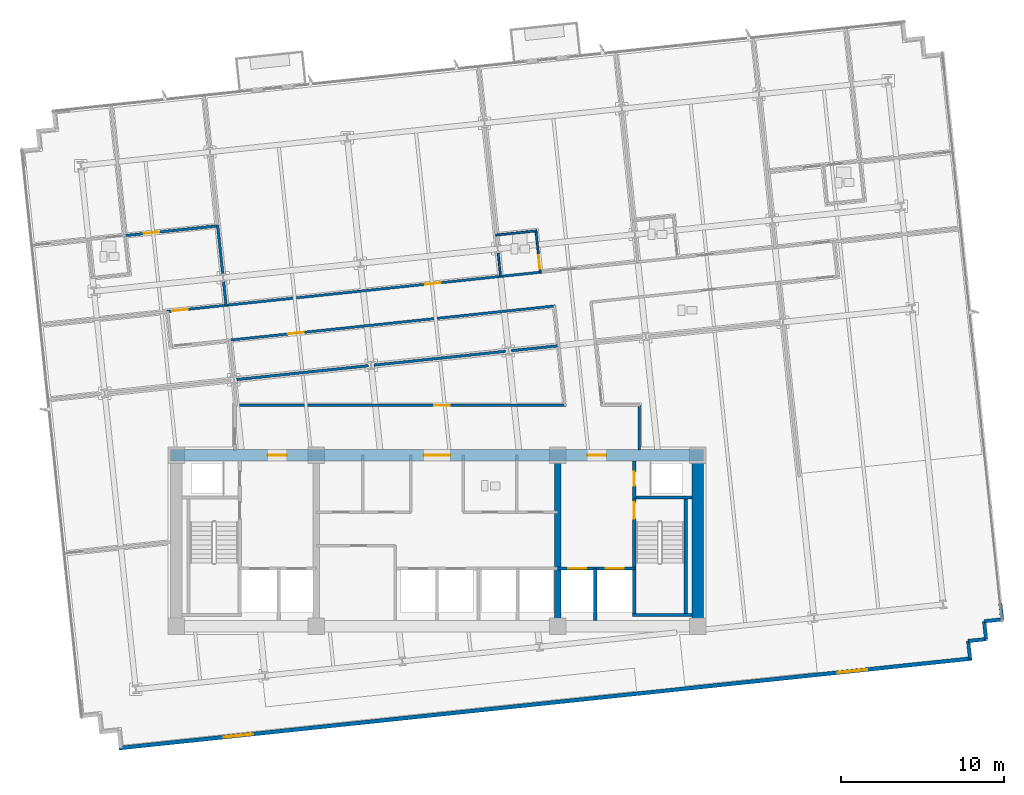
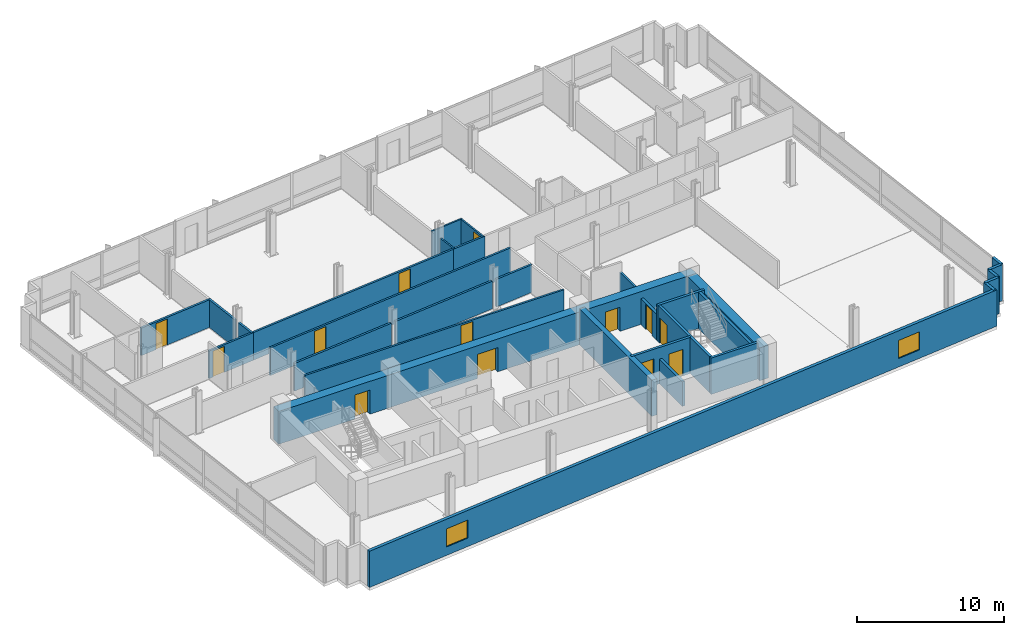
# One storey, part 11 of 18: 31 walls, 13 doors, 2 windows, 15 openings.
"""IFC4 building model written with IfcOpenShell, lengths in metres."""

from ifc_helpers import new_model, si_unit, direction, frame, frame_2d, origin, place, context, subcontext, project, spatial, rectangle, extrude, material, layer, layer_set, type_object, element, fill, save


model = new_model("IFC4")

# Units and contexts
model_context = context("Model", 3, precision=1e-05, world=origin(), true_north=direction((0.0, 1.0)))
body_context = subcontext(model_context, "Body", "Model", "MODEL_VIEW")
ifc_project = project(units=[si_unit("LENGTHUNIT", "METRE"), si_unit("AREAUNIT", "SQUARE_METRE"), si_unit("VOLUMEUNIT", "CUBIC_METRE"), si_unit("PLANEANGLEUNIT", "RADIAN"), si_unit("MASSUNIT", "GRAM", prefix="KILO")], contexts=[model_context])

# Site, building, storey
site_placement = place(None, origin())
site = spatial("IfcSite", under=ifc_project, at=site_placement, CompositionType="ELEMENT")
building_placement = place(site_placement, origin())
building = spatial("IfcBuilding", under=site, at=building_placement, Name="Solmavex Isthmus Hotel", CompositionType="ELEMENT")
storey_placement = place(building_placement, frame((0.0, 0.0, 127.050048828125)))
storey = spatial("IfcBuildingStorey", under=building, at=storey_placement, Name="L34", CompositionType="ELEMENT", Elevation=127.050048828125)

# Wall, openings, windows
ifc_material_1 = material(Name="Precast Concrete C40/50", Category="concrete")
ifc_layer_1 = layer(ifc_material_1, 0.25)
ifc_layer_set_1 = layer_set([ifc_layer_1], Name="Precast Concrete C40/50")
wall_type_1 = type_object("IfcWallType", Name="EW-TWR-250", PredefinedType="STANDARD", material=ifc_layer_set_1)
wall_1_placement = place(storey_placement, frame((-19.504150390625, -20.4716796875, 0.0), z_axis=(0.0, 0.0, 1.0), x_axis=(0.994521743132, 0.104529911687, 0.0)))
wall_1 = element("IfcWall", 1, at=wall_1_placement, inside=storey, type_object=wall_type_1, Name="Tower Rear South Facade Wall L34", PredefinedType="STANDARD", context=body_context, shape_type="SweptSolid", body=[
    extrude(rectangle(XDim=52.60009765625, YDim=0.239990234375, at=frame_2d((26.300048828125, 0.0))), origin(), (0.0, 0.0, 1.0), 3.0),
])
opening_1_placement = place(wall_1_placement, frame((6.464111328125, 0.0, 0.699951171875)))
opening_1 = element("IfcOpeningElement", 2, at=opening_1_placement, cuts=wall_1, Name="Opening WN-02", PredefinedType="OPENING", context=body_context, shape_type="SweptSolid", body=[
    extrude(rectangle(XDim=1.800048828125, YDim=1.5, at=frame_2d((0.89990234375, 0.75))), frame((0.0, 0.1298828125, 0.0), z_axis=(0.0, -1.0, 0.0), x_axis=(1.0, 0.0, 0.0)), (0.0, 0.0, 1.0), 0.260009765625),
])
opening_2_placement = place(wall_1_placement, frame((44.3359375, 0.0, 0.699951171875)))
opening_2 = element("IfcOpeningElement", 3, at=opening_2_placement, cuts=wall_1, Name="Opening WN-02", PredefinedType="OPENING", context=body_context, shape_type="SweptSolid", body=[
    extrude(rectangle(XDim=1.800048828125, YDim=1.5, at=frame_2d((0.89990234375, 0.75))), frame((0.0, 0.1298828125, 0.0), z_axis=(0.0, -1.0, 0.0), x_axis=(1.0, 0.0, 0.0)), (0.0, 0.0, 1.0), 0.260009765625),
])
ifc_material_2 = material(Name="Clear low-E laminated glass", Category="glass")
window_type = type_object("IfcWindowType", Name="WIN-TWR-1800", PartitioningType="SINGLE_PANEL", PredefinedType="WINDOW", material=ifc_material_2)
window_1_placement = place(opening_1_placement, origin())
window_1 = element("IfcWindow", 4, at=window_1_placement, inside=storey, type_object=window_type, Name="South Facade Vision Window L34-S1", OverallHeight=1.5, OverallWidth=1.800048828125, PartitioningType="SINGLE_PANEL", PredefinedType="WINDOW", context=body_context, shape_type="SweptSolid", body=[
    extrude(rectangle(XDim=1.800048828125, YDim=1.5, at=frame_2d((0.89990234375, 0.75))), frame((0.0, 0.030029296875, 0.0), z_axis=(0.0, -1.0, 0.0), x_axis=(1.0, 0.0, 0.0)), (0.0, 0.0, 1.0), 0.06005859375),
])
fill(opening_1, window_1)
window_2_placement = place(opening_2_placement, origin())
window_2 = element("IfcWindow", 5, at=window_2_placement, inside=storey, type_object=window_type, Name="South Facade Vision Window L34-S2", OverallHeight=1.5, OverallWidth=1.800048828125, PartitioningType="SINGLE_PANEL", PredefinedType="WINDOW", context=body_context, shape_type="SweptSolid", body=[
    extrude(rectangle(XDim=1.800048828125, YDim=1.5, at=frame_2d((0.89990234375, 0.75))), frame((0.0, 0.030029296875, 0.0), z_axis=(0.0, -1.0, 0.0), x_axis=(1.0, 0.0, 0.0)), (0.0, 0.0, 1.0), 0.06005859375),
])
fill(opening_2, window_2)

# Walls
wall_2_placement = place(storey_placement, frame((34.553955078125, -11.59228515625, 0.0), z_axis=(0.0, 0.0, 1.0), x_axis=(0.104556418955, -0.99451895671, 0.0)))
element("IfcWall", 6, at=wall_2_placement, inside=storey, type_object=wall_type_1, Name="Serrated Corner Facade Panel L34-21", PredefinedType="STANDARD", context=body_context, shape_type="SweptSolid", body=[
    extrude(rectangle(XDim=0.989990234375, YDim=0.219970703125, at=frame_2d((0.4951171875, 0.0))), origin(), (0.0, 0.0, 1.0), 3.0),
])
for number, where, z_axis, x_axis, name in (
    (7, (34.657470703125, -12.576904296875, 0.0), (0.0, 0.0, 1.0), (-0.994521251134, -0.104534592565, 0.0), "Serrated Corner Facade Panel L34-22"),
    (8, (33.5634765625, -12.69189453125, 0.0), (0.0, 0.0, 1.0), (0.104534592565, -0.994521251134, 0.0), "Serrated Corner Facade Panel L34-23"),
    (9, (33.678466796875, -13.785888671875, 0.0), (0.0, 0.0, 1.0), (-0.994521251134, -0.104534592565, 0.0), "Serrated Corner Facade Panel L34-24"),
    (10, (32.58447265625, -13.90087890625, 0.0), (0.0, 0.0, 1.0), (0.104534592565, -0.994521251134, 0.0), "Serrated Corner Facade Panel L34-25"),
):
    element("IfcWall", number, at=place(storey_placement, frame(where, z_axis=z_axis, x_axis=x_axis)), inside=storey, type_object=wall_type_1, Name=name, PredefinedType="STANDARD", context=body_context, shape_type="SweptSolid", body=[
        extrude(rectangle(XDim=1.10009765625, YDim=0.219970703125, at=frame_2d((0.550048828125, 0.0))), origin(), (0.0, 0.0, 1.0), 3.0),
    ])

# Wall, opening, door
ifc_material_3 = material(Name="Gypsum plasterboard lining", Category="gypsum")
ifc_layer_2 = layer(ifc_material_3, 0.159912109375)
ifc_layer_set_2 = layer_set([ifc_layer_2], Name="Gypsum plasterboard lining")
wall_type_2 = type_object("IfcWallType", Name="IW-COMP-160", PredefinedType="PARTITIONING", material=ifc_layer_set_2)
wall_3_placement = place(storey_placement, frame((-19.19384765625, 10.9609375, 0.0), z_axis=(0.0, 0.0, 1.0), x_axis=(0.994518330886, 0.104562371486, 0.0)))
wall_3 = element("IfcWall", 11, at=wall_3_placement, inside=storey, type_object=wall_type_2, Name="Interior Partition Wall W-L34-P023", PredefinedType="PARTITIONING", context=body_context, shape_type="SweptSolid", body=[
    extrude(rectangle(XDim=5.81396484375, YDim=0.159912109375, at=frame_2d((2.906982421875, 0.0))), origin(), (0.0, 0.0, 1.0), 2.28955078125),
])
opening_3_placement = place(wall_3_placement, frame((1.227783203125, 0.0, 0.0)))
opening_3 = element("IfcOpeningElement", 12, at=opening_3_placement, cuts=wall_3, Name="Opening ID-C095", PredefinedType="OPENING", context=body_context, shape_type="SweptSolid", body=[
    extrude(rectangle(XDim=0.949951171875, YDim=2.14990234375, at=frame_2d((0.47509765625, 1.074951171875))), frame((0.0, 0.08984375, 0.0), z_axis=(0.0, -1.0, 0.0), x_axis=(1.0, 0.0, 0.0)), (0.0, 0.0, 1.0), 0.179931640625),
])
ifc_material_4 = material(Name="Hardwood timber", Category="wood")
door_type_1 = type_object("IfcDoorType", Name="IDR-FD60-0950", OperationType="NOTDEFINED", PredefinedType="DOOR", material=ifc_material_4)
door_1_placement = place(opening_3_placement, origin())
door_1 = element("IfcDoor", 13, at=door_1_placement, inside=storey, type_object=door_type_1, Name="Premier Corner Suite Sitting Lounge Door L34-03", OperationType="SINGLE_SWING_LEFT", OverallHeight=2.14990234375, OverallWidth=0.949951171875, PredefinedType="DOOR", context=body_context, shape_type="SweptSolid", body=[
    extrude(rectangle(XDim=0.949951171875, YDim=2.14990234375, at=frame_2d((0.47509765625, 1.074951171875))), frame((0.0, 0.02490234375, 0.0), z_axis=(0.0, -1.0, 0.0), x_axis=(1.0, 0.0, 0.0)), (0.0, 0.0, 1.0), 0.050048828125),
])
fill(opening_3, door_1)

# Walls
wall_4_placement = place(storey_placement, frame((-13.455810546875, 11.604248046875, 0.0), z_axis=(0.0, 0.0, 1.0), x_axis=(0.104552041268, -0.994519416938, 0.0)))
element("IfcWall", 14, at=wall_4_placement, inside=storey, type_object=wall_type_2, Name="Interior Partition Wall W-L34-P027", PredefinedType="PARTITIONING", context=body_context, shape_type="SweptSolid", body=[
    extrude(rectangle(XDim=3.063720703125, YDim=0.159912109375, at=frame_2d((1.53173828125, 0.0))), origin(), (0.0, 0.0, 1.0), 2.28955078125),
])
wall_5_placement = place(storey_placement, frame((-13.0986328125, 8.206787109375, 0.0), z_axis=(0.0, 0.0, 1.0), x_axis=(0.104578999325, -0.994516582516, 0.0)))
element("IfcWall", 15, at=wall_5_placement, inside=storey, type_object=wall_type_2, Name="Interior Partition Wall W-L34-P028", PredefinedType="PARTITIONING", context=body_context, shape_type="SweptSolid", body=[
    extrude(rectangle(XDim=1.561767578125, YDim=0.159912109375, at=frame_2d((0.78076171875, 0.0))), origin(), (0.0, 0.0, 1.0), 2.28955078125),
])
wall_6_placement = place(storey_placement, frame((-4.21435546875, 2.985107421875, 0.0), z_axis=(0.0, 0.0, 1.0), x_axis=(-0.994521269983, -0.104534413238, 0.0)))
element("IfcWall", 16, at=wall_6_placement, inside=storey, type_object=wall_type_2, Name="Interior Partition Wall W-L34-P062", PredefinedType="PARTITIONING", context=body_context, shape_type="SweptSolid", body=[
    extrude(rectangle(XDim=8.113525390625, YDim=0.159912109375, at=frame_2d((4.056640625, 0.0))), origin(), (0.0, 0.0, 1.0), 2.28955078125),
])
wall_7_placement = place(storey_placement, frame((4.205322265625, 3.8701171875, 0.0), z_axis=(0.0, 0.0, 1.0), x_axis=(-0.994521598781, -0.104531285071, 0.0)))
element("IfcWall", 17, at=wall_7_placement, inside=storey, type_object=wall_type_2, Name="Interior Partition Wall W-L34-P063", PredefinedType="PARTITIONING", context=body_context, shape_type="SweptSolid", body=[
    extrude(rectangle(XDim=8.11376953125, YDim=0.159912109375, at=frame_2d((4.056884765625, 0.0))), origin(), (0.0, 0.0, 1.0), 2.28955078125),
])
wall_8_placement = place(storey_placement, frame((7.51611328125, 4.218017578125, 0.0), z_axis=(0.0, 0.0, 1.0), x_axis=(-0.994526106058, -0.104488393462, 0.0)))
element("IfcWall", 18, at=wall_8_placement, inside=storey, type_object=wall_type_2, Name="Interior Partition Wall W-L34-P064", PredefinedType="PARTITIONING", context=body_context, shape_type="SweptSolid", body=[
    extrude(rectangle(XDim=2.976806640625, YDim=0.159912109375, at=frame_2d((1.48828125, 0.0))), origin(), (0.0, 0.0, 1.0), 2.28955078125),
])

# Wall, opening, door
ifc_layer_3 = layer(ifc_material_3, 0.14990234375)
ifc_layer_set_3 = layer_set([ifc_layer_3], Name="Gypsum plasterboard lining")
wall_type_3 = type_object("IfcWallType", Name="IW-CORR-150", PredefinedType="PARTITIONING", material=ifc_layer_set_3)
wall_9_placement = place(storey_placement, frame((-16.5595703125, 6.31298828125, 0.0), z_axis=(0.0, 0.0, 1.0), x_axis=(0.994525204328, 0.104496975826, 0.0)))
wall_9 = element("IfcWall", 19, at=wall_9_placement, inside=storey, type_object=wall_type_3, Name="Interior Partition Wall W-L34-P001", PredefinedType="PARTITIONING", context=body_context, shape_type="SweptSolid", body=[
    extrude(rectangle(XDim=3.7216796875, YDim=0.14990234375, at=frame_2d((1.86083984375, 0.0))), origin(), (0.0, 0.0, 1.0), 2.28955078125),
])
opening_4_placement = place(wall_9_placement, frame((0.315185546875, 0.0, 0.0)))
opening_4 = element("IfcOpeningElement", 20, at=opening_4_placement, cuts=wall_9, Name="Opening ID-C095", PredefinedType="OPENING", context=body_context, shape_type="SweptSolid", body=[
    extrude(rectangle(XDim=0.949951171875, YDim=2.14990234375, at=frame_2d((0.47509765625, 1.074951171875))), frame((0.0, 0.0849609375, 0.0), z_axis=(0.0, -1.0, 0.0), x_axis=(1.0, 0.0, 0.0)), (0.0, 0.0, 1.0), 0.169921875),
])
door_2_placement = place(opening_4_placement, frame((0.949951171875, 0.0, 0.0), z_axis=(0.0, 0.0, 1.0), x_axis=(-1.0, 0.0, 0.0)))
door_2 = element("IfcDoor", 21, at=door_2_placement, inside=storey, type_object=door_type_1, Name="Premier Corner Suite Reception Foyer Door L34-01", OperationType="SINGLE_SWING_LEFT", OverallHeight=2.14990234375, OverallWidth=0.949951171875, PredefinedType="DOOR", context=body_context, shape_type="SweptSolid", body=[
    extrude(rectangle(XDim=0.949951171875, YDim=2.14990234375, at=frame_2d((0.47509765625, 1.074951171875))), frame((0.0, 0.02490234375, 0.0), z_axis=(0.0, -1.0, 0.0), x_axis=(1.0, 0.0, 0.0)), (0.0, 0.0, 1.0), 0.050048828125),
])
fill(opening_4, door_2)

wall_10_placement = place(storey_placement, frame((-13.021240234375, 6.684814453125, 0.0), z_axis=(0.0, 0.0, 1.0), x_axis=(0.994521404201, 0.104533136308, 0.0)))
wall_10 = element("IfcWall", 22, at=wall_10_placement, inside=storey, type_object=wall_type_3, Name="Interior Partition Wall W-L34-P002", PredefinedType="PARTITIONING", context=body_context, shape_type="SweptSolid", body=[
    extrude(rectangle(XDim=17.09619140625, YDim=0.14990234375, at=frame_2d((8.548095703125, 0.0))), origin(), (0.0, 0.0, 1.0), 2.28955078125),
])
opening_5_placement = place(wall_10_placement, frame((12.361083984375, 0.0, 0.0)))
opening_5 = element("IfcOpeningElement", 23, at=opening_5_placement, cuts=wall_10, Name="Opening ID-C095", PredefinedType="OPENING", context=body_context, shape_type="SweptSolid", body=[
    extrude(rectangle(XDim=0.949951171875, YDim=2.14990234375, at=frame_2d((0.47509765625, 1.074951171875))), frame((0.0, 0.0849609375, 0.0), z_axis=(0.0, -1.0, 0.0), x_axis=(1.0, 0.0, 0.0)), (0.0, 0.0, 1.0), 0.169921875),
])
door_3_placement = place(opening_5_placement, frame((0.949951171875, 0.0, 0.0), z_axis=(0.0, 0.0, 1.0), x_axis=(-1.0, 0.0, 0.0)))
door_3 = element("IfcDoor", 24, at=door_3_placement, inside=storey, type_object=door_type_1, Name="Corporate Briefing Office Door L34-05", OperationType="SINGLE_SWING_LEFT", OverallHeight=2.14990234375, OverallWidth=0.949951171875, PredefinedType="DOOR", context=body_context, shape_type="SweptSolid", body=[
    extrude(rectangle(XDim=0.949951171875, YDim=2.14990234375, at=frame_2d((0.47509765625, 1.074951171875))), frame((0.0, 0.02490234375, 0.0), z_axis=(0.0, -1.0, 0.0), x_axis=(1.0, 0.0, 0.0)), (0.0, 0.0, 1.0), 0.050048828125),
])
fill(opening_5, door_3)

# Wall
wall_11_placement = place(storey_placement, frame((3.818115234375, 8.454833984375, 0.0), z_axis=(0.0, 0.0, 1.0), x_axis=(0.994523350694, 0.104514615837, 0.0)))
element("IfcWall", 25, at=wall_11_placement, inside=storey, type_object=wall_type_3, Name="Interior Partition Wall W-L34-P004", PredefinedType="PARTITIONING", context=body_context, shape_type="SweptSolid", body=[
    extrude(rectangle(XDim=2.614013671875, YDim=0.14990234375, at=frame_2d((1.30712890625, 0.0))), origin(), (0.0, 0.0, 1.0), 2.28955078125),
])

# Wall, opening, door
wall_12_placement = place(storey_placement, frame((7.260009765625, 6.654541015625, 0.0), z_axis=(0.0, 0.0, 1.0), x_axis=(-0.994522421445, -0.104523457861, 0.0)))
wall_12 = element("IfcWall", 26, at=wall_12_placement, inside=storey, type_object=wall_type_3, Name="Interior Partition Wall W-L34-P013", PredefinedType="PARTITIONING", context=body_context, shape_type="SweptSolid", body=[
    extrude(rectangle(XDim=20.166748046875, YDim=0.14990234375, at=frame_2d((10.08349609375, 0.0))), origin(), (0.0, 0.0, 1.0), 2.28955078125),
])
opening_6_placement = place(wall_12_placement, frame((15.51416015625, 0.0, 0.0)))
opening_6 = element("IfcOpeningElement", 27, at=opening_6_placement, cuts=wall_12, Name="Opening ID-C095", PredefinedType="OPENING", context=body_context, shape_type="SweptSolid", body=[
    extrude(rectangle(XDim=0.949951171875, YDim=2.14990234375, at=frame_2d((0.47509765625, 1.074951171875))), frame((0.0, 0.0849609375, 0.0), z_axis=(0.0, -1.0, 0.0), x_axis=(1.0, 0.0, 0.0)), (0.0, 0.0, 1.0), 0.169921875),
])
door_4_placement = place(opening_6_placement, frame((0.949951171875, 0.0, 0.0), z_axis=(0.0, 0.0, 1.0), x_axis=(-1.0, 0.0, 0.0)))
door_4 = element("IfcDoor", 28, at=door_4_placement, inside=storey, type_object=door_type_1, Name="Executive Boardroom Door L34-16", OperationType="SINGLE_SWING_RIGHT", OverallHeight=2.14990234375, OverallWidth=0.949951171875, PredefinedType="DOOR", context=body_context, shape_type="SweptSolid", body=[
    extrude(rectangle(XDim=0.949951171875, YDim=2.14990234375, at=frame_2d((0.47509765625, 1.074951171875))), frame((0.0, 0.02490234375, 0.0), z_axis=(0.0, -1.0, 0.0), x_axis=(1.0, 0.0, 0.0)), (0.0, 0.0, 1.0), 0.050048828125),
])
fill(opening_6, door_4)

wall_13_placement = place(storey_placement, frame((-12.376220703125, 0.550048828125, 0.0), z_axis=(0.0, 0.0, 1.0), x_axis=(1.0, 0.0, 0.0)))
wall_13 = element("IfcWall", 29, at=wall_13_placement, inside=storey, type_object=wall_type_3, Name="Interior Partition Wall W-L34-P014", PredefinedType="PARTITIONING", context=body_context, shape_type="SweptSolid", body=[
    extrude(rectangle(XDim=20.27783203125, YDim=0.14990234375, at=frame_2d((10.138916015625, 0.0))), origin(), (0.0, 0.0, 1.0), 2.28955078125),
])
opening_7_placement = place(wall_13_placement, frame((12.208740234375, 0.0, 0.0)))
opening_7 = element("IfcOpeningElement", 30, at=opening_7_placement, cuts=wall_13, Name="Opening ID-C095", PredefinedType="OPENING", context=body_context, shape_type="SweptSolid", body=[
    extrude(rectangle(XDim=0.949951171875, YDim=2.14990234375, at=frame_2d((0.47509765625, 1.074951171875))), frame((0.0, 0.0849609375, 0.0), z_axis=(0.0, -1.0, 0.0), x_axis=(1.0, 0.0, 0.0)), (0.0, 0.0, 1.0), 0.169921875),
])
door_5_placement = place(opening_7_placement, frame((0.949951171875, 0.0, 0.0), z_axis=(0.0, 0.0, 1.0), x_axis=(-1.0, 0.0, 0.0)))
door_5 = element("IfcDoor", 31, at=door_5_placement, inside=storey, type_object=door_type_1, Name="Wellness Treatment Room Door L34-17", OperationType="SINGLE_SWING_LEFT", OverallHeight=2.14990234375, OverallWidth=0.949951171875, PredefinedType="DOOR", context=body_context, shape_type="SweptSolid", body=[
    extrude(rectangle(XDim=0.949951171875, YDim=2.14990234375, at=frame_2d((0.47509765625, 1.074951171875))), frame((0.0, 0.02490234375, 0.0), z_axis=(0.0, -1.0, 0.0), x_axis=(1.0, 0.0, 0.0)), (0.0, 0.0, 1.0), 0.050048828125),
])
fill(opening_7, door_5)

# Walls
wall_14_placement = place(storey_placement, frame((12.39990234375, 0.590087890625, 0.0), z_axis=(0.0, 0.0, 1.0), x_axis=(0.0, -1.0, 0.0)))
element("IfcWall", 32, at=wall_14_placement, inside=storey, type_object=wall_type_3, Name="Interior Partition Wall W-L34-P021", PredefinedType="PARTITIONING", context=body_context, shape_type="SweptSolid", body=[
    extrude(rectangle(XDim=2.780029296875, YDim=0.14990234375, at=frame_2d((1.39013671875, 0.0))), origin(), (0.0, 0.0, 1.0), 2.14501953125),
])
ifc_layer_4 = layer(ifc_material_3, 0.1201171875)
ifc_layer_set_4 = layer_set([ifc_layer_4], Name="Gypsum plasterboard lining")
wall_type_4 = type_object("IfcWallType", Name="IW-PART-120", PredefinedType="PARTITIONING", material=ifc_layer_set_4)
wall_15_placement = place(storey_placement, frame((3.740478515625, 9.976806640625, 0.0), z_axis=(0.0, 0.0, 1.0), x_axis=(0.104578999325, -0.994516582516, 0.0)))
element("IfcWall", 33, at=wall_15_placement, inside=storey, type_object=wall_type_4, Name="Interior Partition Wall W-L34-P036", PredefinedType="PARTITIONING", context=body_context, shape_type="SweptSolid", body=[
    extrude(rectangle(XDim=1.561767578125, YDim=0.1201171875, at=frame_2d((0.78076171875, 0.0))), origin(), (0.0, 0.0, 1.0), 2.28955078125),
])

# Wall, opening, door
wall_16_placement = place(storey_placement, frame((6.34033203125, 8.6796875, 0.0), z_axis=(0.0, 0.0, 1.0), x_axis=(-0.104530146087, 0.994521718495, 0.0)))
wall_16 = element("IfcWall", 34, at=wall_16_placement, inside=storey, type_object=wall_type_4, Name="Interior Partition Wall W-L34-P037", PredefinedType="PARTITIONING", context=body_context, shape_type="SweptSolid", body=[
    extrude(rectangle(XDim=2.6298828125, YDim=0.1201171875, at=frame_2d((1.31494140625, 0.0))), origin(), (0.0, 0.0, 1.0), 2.28955078125),
])
opening_8_placement = place(wall_16_placement, frame((0.247314453125, 0.0, 0.0)))
opening_8 = element("IfcOpeningElement", 35, at=opening_8_placement, cuts=wall_16, Name="Opening ID-U085", PredefinedType="OPENING", context=body_context, shape_type="SweptSolid", body=[
    extrude(rectangle(XDim=0.85009765625, YDim=2.10009765625, at=frame_2d((0.425048828125, 1.050048828125))), frame((0.0, 0.070068359375, 0.0), z_axis=(0.0, -1.0, 0.0), x_axis=(1.0, 0.0, 0.0)), (0.0, 0.0, 1.0), 0.14013671875),
])
door_type_2 = type_object("IfcDoorType", Name="IDR-UNR-0850", OperationType="NOTDEFINED", PredefinedType="DOOR", material=ifc_material_4)
door_6_placement = place(opening_8_placement, frame((0.85009765625, 0.0, 0.0), z_axis=(0.0, 0.0, 1.0), x_axis=(-1.0, 0.0, 0.0)))
door_6 = element("IfcDoor", 36, at=door_6_placement, inside=storey, type_object=door_type_2, Name="En-suite Bathroom Door L34-07", OperationType="SINGLE_SWING_LEFT", OverallHeight=2.10009765625, OverallWidth=0.85009765625, PredefinedType="DOOR", context=body_context, shape_type="SweptSolid", body=[
    extrude(rectangle(XDim=0.85009765625, YDim=2.10009765625, at=frame_2d((0.425048828125, 1.050048828125))), frame((0.0, 0.02490234375, 0.0), z_axis=(0.0, -1.0, 0.0), x_axis=(1.0, 0.0, 0.0)), (0.0, 0.0, 1.0), 0.050048828125),
])
fill(opening_8, door_6)

# Wall
wall_17_placement = place(storey_placement, frame((6.109375, 11.259521484375, 0.0), z_axis=(0.0, 0.0, 1.0), x_axis=(-0.994523944136, -0.104508968707, 0.0)))
element("IfcWall", 37, at=wall_17_placement, inside=storey, type_object=wall_type_4, Name="Interior Partition Wall W-L34-P038", PredefinedType="PARTITIONING", context=body_context, shape_type="SweptSolid", body=[
    extrude(rectangle(XDim=2.530029296875, YDim=0.1201171875, at=frame_2d((1.26513671875, 0.0))), origin(), (0.0, 0.0, 1.0), 2.28955078125),
])

# Wall, opening, door
ifc_material_5 = material(Name="Concrete C40/50", Category="concrete")
ifc_layer_5 = layer(ifc_material_5, 0.199951171875)
ifc_layer_set_5 = layer_set([ifc_layer_5], Name="Concrete C40/50")
wall_type_5 = type_object("IfcWallType", Name="IW-SHAFT-200", PredefinedType="PARTITIONING", material=ifc_layer_set_5)
wall_18_placement = place(storey_placement, frame((12.10009765625, -5.199951171875, 0.0), z_axis=(0.0, 0.0, 1.0), x_axis=(0.0, 1.0, 0.0)))
wall_18 = element("IfcWall", 38, at=wall_18_placement, inside=storey, type_object=wall_type_5, Name="Interior Partition Wall W-L34-RSE-W", PredefinedType="PARTITIONING", context=body_context, shape_type="SweptSolid", body=[
    extrude(rectangle(XDim=2.349853515625, YDim=0.199951171875, at=frame_2d((1.1748046875, 0.0))), origin(), (0.0, 0.0, 1.0), 2.14501953125),
])
opening_9_placement = place(wall_18_placement, frame((0.824951171875, 0.0, 0.0)))
opening_9 = element("IfcOpeningElement", 39, at=opening_9_placement, cuts=wall_18, Name="Opening ID-R085", PredefinedType="OPENING", context=body_context, shape_type="SweptSolid", body=[
    extrude(rectangle(XDim=0.85009765625, YDim=2.050048828125, at=frame_2d((0.425048828125, 1.02490234375))), frame((0.0, 0.10986328125, 0.0), z_axis=(0.0, -1.0, 0.0), x_axis=(1.0, 0.0, 0.0)), (0.0, 0.0, 1.0), 0.219970703125),
])
ifc_material_6 = material(Name="Steel ASTM A500 Grade C", Category="steel")
door_type_3 = type_object("IfcDoorType", Name="IDR-FD60-0850", OperationType="NOTDEFINED", PredefinedType="DOOR", material=ifc_material_6)
door_7_placement = place(opening_9_placement, frame((0.85009765625, 0.0, 0.0), z_axis=(0.0, 0.0, 1.0), x_axis=(-1.0, 0.0, 0.0)))
door_7 = element("IfcDoor", 40, at=door_7_placement, inside=storey, type_object=door_type_3, Name="Mechanical Riser Door L34", OperationType="SINGLE_SWING_LEFT", OverallHeight=2.050048828125, OverallWidth=0.85009765625, PredefinedType="DOOR", context=body_context, shape_type="SweptSolid", body=[
    extrude(rectangle(XDim=0.85009765625, YDim=2.050048828125, at=frame_2d((0.425048828125, 1.02490234375))), frame((0.0, 0.02490234375, 0.0), z_axis=(0.0, -1.0, 0.0), x_axis=(1.0, 0.0, 0.0)), (0.0, 0.0, 1.0), 0.050048828125),
])
fill(opening_9, door_7)

# Wall, openings, doors
wall_19_placement = place(storey_placement, frame((7.39990234375, -9.449951171875, 0.0), z_axis=(0.0, 0.0, 1.0), x_axis=(1.0, 0.0, 0.0)))
wall_19 = element("IfcWall", 41, at=wall_19_placement, inside=storey, type_object=wall_type_5, Name="Interior Partition Wall W-L34-FFLE-S", PredefinedType="PARTITIONING", context=body_context, shape_type="SweptSolid", body=[
    extrude(rectangle(XDim=4.7001953125, YDim=0.199951171875, at=frame_2d((2.35009765625, 0.0))), origin(), (0.0, 0.0, 1.0), 3.0),
])
opening_10_placement = place(wall_19_placement, frame((2.949951171875, 0.0, 0.0)))
opening_10 = element("IfcOpeningElement", 42, at=opening_10_placement, cuts=wall_19, Name="Opening LD-FF", PredefinedType="OPENING", context=body_context, shape_type="SweptSolid", body=[
    extrude(rectangle(XDim=1.10009765625, YDim=2.199951171875, at=frame_2d((0.550048828125, 1.10009765625))), frame((0.0, 0.10986328125, 0.0), z_axis=(0.0, -1.0, 0.0), x_axis=(1.0, 0.0, 0.0)), (0.0, 0.0, 1.0), 0.219970703125),
])
opening_11_placement = place(wall_19_placement, frame((0.64990234375, 0.0, 0.0)))
opening_11 = element("IfcOpeningElement", 43, at=opening_11_placement, cuts=wall_19, Name="Opening LD-SV", PredefinedType="OPENING", context=body_context, shape_type="SweptSolid", body=[
    extrude(rectangle(XDim=1.10009765625, YDim=2.199951171875, at=frame_2d((0.550048828125, 1.10009765625))), frame((0.0, 0.10986328125, 0.0), z_axis=(0.0, -1.0, 0.0), x_axis=(1.0, 0.0, 0.0)), (0.0, 0.0, 1.0), 0.219970703125),
])
ifc_material_7 = material(Name="Stainless steel 316", Category="steel")
door_type_4 = type_object("IfcDoorType", Name="LDR-FF-1100", OperationType="NOTDEFINED", PredefinedType="DOOR", material=ifc_material_7)
door_8_placement = place(opening_10_placement, origin())
door_8 = element("IfcDoor", 44, at=door_8_placement, inside=storey, type_object=door_type_4, Name="Lift Landing Door FFL-2 L34", OperationType="SLIDING_TO_LEFT", OverallHeight=2.199951171875, OverallWidth=1.10009765625, PredefinedType="DOOR", context=body_context, shape_type="SweptSolid", body=[
    extrude(rectangle(XDim=1.10009765625, YDim=2.199951171875, at=frame_2d((0.550048828125, 1.10009765625))), frame((0.0, 0.02490234375, 0.0), z_axis=(0.0, -1.0, 0.0), x_axis=(1.0, 0.0, 0.0)), (0.0, 0.0, 1.0), 0.050048828125),
])
fill(opening_10, door_8)
door_type_5 = type_object("IfcDoorType", Name="LDR-SV-1100", OperationType="NOTDEFINED", PredefinedType="DOOR", material=ifc_material_7)
door_9_placement = place(opening_11_placement, origin())
door_9 = element("IfcDoor", 45, at=door_9_placement, inside=storey, type_object=door_type_5, Name="Lift Landing Door SVL-2 L34", OperationType="SLIDING_TO_RIGHT", OverallHeight=2.199951171875, OverallWidth=1.10009765625, PredefinedType="DOOR", context=body_context, shape_type="SweptSolid", body=[
    extrude(rectangle(XDim=1.10009765625, YDim=2.199951171875, at=frame_2d((0.550048828125, 1.10009765625))), frame((0.0, 0.02490234375, 0.0), z_axis=(0.0, -1.0, 0.0), x_axis=(1.0, 0.0, 0.0)), (0.0, 0.0, 1.0), 0.050048828125),
])
fill(opening_11, door_9)

# Walls
wall_20_placement = place(storey_placement, frame((9.699951171875, -12.64990234375, 0.0), z_axis=(0.0, 0.0, 1.0), x_axis=(0.0, 1.0, 0.0)))
element("IfcWall", 46, at=wall_20_placement, inside=storey, type_object=wall_type_5, Name="Interior Partition Wall W-L34-FFLE-M", PredefinedType="PARTITIONING", context=body_context, shape_type="SweptSolid", body=[
    extrude(rectangle(XDim=3.199951171875, YDim=0.199951171875, at=frame_2d((1.60009765625, 0.0))), origin(), (0.0, 0.0, 1.0), 2.034912109375),
])
ifc_material_8 = material(Name="Concrete C60/75", Category="concrete")
ifc_layer_6 = layer(ifc_material_8, 0.39990234375)
ifc_layer_set_6 = layer_set([ifc_layer_6], Name="Concrete C60/75")
wall_type_6 = type_object("IfcWallType", Name="WALL-CW-400M", PredefinedType="SHEAR", material=ifc_layer_set_6)
wall_21_placement = place(storey_placement, frame((7.39990234375, -12.64990234375, 0.0), z_axis=(0.0, 0.0, 1.0), x_axis=(0.0, 1.0, 0.0)))
element("IfcWall", 47, at=wall_21_placement, inside=storey, type_object=wall_type_6, Name="Core Cross Shear Wall C2 L34", PredefinedType="SHEAR", context=body_context, shape_type="SweptSolid", body=[
    extrude(rectangle(XDim=9.7998046875, YDim=0.39990234375, at=frame_2d((4.89990234375, 0.0))), origin(), (0.0, 0.0, 1.0), 3.0),
])

# Wall, openings, doors
ifc_layer_7 = layer(ifc_material_8, 0.699951171875)
ifc_layer_set_7 = layer_set([ifc_layer_7], Name="Concrete C60/75")
wall_type_7 = type_object("IfcWallType", Name="WALL-CW-700", PredefinedType="SHEAR", material=ifc_layer_set_7)
wall_22_placement = place(storey_placement, frame((-16.35009765625, -2.5, 0.0), z_axis=(0.0, 0.0, 1.0), x_axis=(1.0, 0.0, 0.0)))
wall_22 = element("IfcWall", 48, at=wall_22_placement, inside=storey, type_object=wall_type_7, Name="Core Shear Wall North L34", PredefinedType="SHEAR", context=body_context, shape_type="SweptSolid", body=[
    extrude(rectangle(XDim=32.7001953125, YDim=0.699951171875, at=frame_2d((16.35009765625, 0.0))), origin(), (0.0, 0.0, 1.0), 2.719970703125),
])
opening_12_placement = place(wall_22_placement, frame((5.97509765625, 0.0, 0.0)))
opening_12 = element("IfcOpeningElement", 49, at=opening_12_placement, cuts=wall_22, Name="Opening ID-F915", PredefinedType="OPENING", context=body_context, shape_type="SweptSolid", body=[
    extrude(rectangle(XDim=1.14990234375, YDim=2.0, at=frame_2d((0.574951171875, 1.0))), frame((0.0, 0.35986328125, 0.0), z_axis=(0.0, -1.0, 0.0), x_axis=(1.0, 0.0, 0.0)), (0.0, 0.0, 1.0), 0.719970703125),
])
opening_13_placement = place(wall_22_placement, frame((15.550048828125, 0.0, 0.0)))
opening_13 = element("IfcOpeningElement", 50, at=opening_13_placement, cuts=wall_22, Name="Opening ID-F960", PredefinedType="OPENING", context=body_context, shape_type="SweptSolid", body=[
    extrude(rectangle(XDim=1.60009765625, YDim=2.0, at=frame_2d((0.800048828125, 1.0))), frame((0.0, 0.35986328125, 0.0), z_axis=(0.0, -1.0, 0.0), x_axis=(1.0, 0.0, 0.0)), (0.0, 0.0, 1.0), 0.719970703125),
])
opening_14_placement = place(wall_22_placement, frame((25.574951171875, 0.0, 0.0)))
opening_14 = element("IfcOpeningElement", 51, at=opening_14_placement, cuts=wall_22, Name="Opening ID-F915", PredefinedType="OPENING", context=body_context, shape_type="SweptSolid", body=[
    extrude(rectangle(XDim=1.14990234375, YDim=2.0, at=frame_2d((0.574951171875, 1.0))), frame((0.0, 0.35986328125, 0.0), z_axis=(0.0, -1.0, 0.0), x_axis=(1.0, 0.0, 0.0)), (0.0, 0.0, 1.0), 0.719970703125),
])
door_type_6 = type_object("IfcDoorType", Name="IDR-FD90-1150C", OperationType="NOTDEFINED", PredefinedType="DOOR", material=ifc_material_6)
door_10_placement = place(opening_12_placement, origin())
door_10 = element("IfcDoor", 52, at=door_10_placement, inside=storey, type_object=door_type_6, Name="Firefighting Lobby West Exit Door L34", OperationType="SINGLE_SWING_LEFT", OverallHeight=2.0, OverallWidth=1.14990234375, PredefinedType="DOOR", context=body_context, shape_type="SweptSolid", body=[
    extrude(rectangle(XDim=1.14990234375, YDim=2.0, at=frame_2d((0.574951171875, 1.0))), frame((0.0, 0.02490234375, 0.0), z_axis=(0.0, -1.0, 0.0), x_axis=(1.0, 0.0, 0.0)), (0.0, 0.0, 1.0), 0.050048828125),
])
fill(opening_12, door_10)
door_11_placement = place(opening_14_placement, origin())
door_11 = element("IfcDoor", 53, at=door_11_placement, inside=storey, type_object=door_type_6, Name="Firefighting Lobby East Exit Door L34", OperationType="SINGLE_SWING_RIGHT", OverallHeight=2.0, OverallWidth=1.14990234375, PredefinedType="DOOR", context=body_context, shape_type="SweptSolid", body=[
    extrude(rectangle(XDim=1.14990234375, YDim=2.0, at=frame_2d((0.574951171875, 1.0))), frame((0.0, 0.02490234375, 0.0), z_axis=(0.0, -1.0, 0.0), x_axis=(1.0, 0.0, 0.0)), (0.0, 0.0, 1.0), 0.050048828125),
])
fill(opening_14, door_11)
door_type_7 = type_object("IfcDoorType", Name="IDR-FD90-1600C", OperationType="NOTDEFINED", PredefinedType="DOOR", material=ifc_material_6)
door_12_placement = place(opening_13_placement, origin())
door_12 = element("IfcDoor", 54, at=door_12_placement, inside=storey, type_object=door_type_7, Name="Central Lift Lobby Door L34", OperationType="DOUBLE_DOOR_SINGLE_SWING", OverallHeight=2.0, OverallWidth=1.60009765625, PredefinedType="DOOR", context=body_context, shape_type="SweptSolid", body=[
    extrude(rectangle(XDim=1.60009765625, YDim=2.0, at=frame_2d((0.800048828125, 1.0))), frame((0.0, 0.02490234375, 0.0), z_axis=(0.0, -1.0, 0.0), x_axis=(1.0, 0.0, 0.0)), (0.0, 0.0, 1.0), 0.050048828125),
])
fill(opening_13, door_12)

# Walls
wall_23_placement = place(storey_placement, frame((16.0, -12.64990234375, 0.0), z_axis=(0.0, 0.0, 1.0), x_axis=(0.0, 1.0, 0.0)))
element("IfcWall", 55, at=wall_23_placement, inside=storey, type_object=wall_type_7, Name="Core Shear Wall East L34", PredefinedType="SHEAR", context=body_context, shape_type="SweptSolid", body=[
    extrude(rectangle(XDim=9.7998046875, YDim=0.699951171875, at=frame_2d((4.89990234375, 0.0))), origin(), (0.0, 0.0, 1.0), 2.719970703125),
])
ifc_layer_8 = layer(ifc_material_5, 0.199951171875)
ifc_layer_set_8 = layer_set([ifc_layer_8], Name="Concrete C40/50")
wall_type_8 = type_object("IfcWallType", Name="WALL-SW-200", PredefinedType="SOLIDWALL", material=ifc_layer_set_8)
for number, where, z_axis, x_axis, name in (
    (56, (12.0, -12.300048828125, 0.0), (0.0, 0.0, 1.0), (1.0, 0.0, 0.0), "Stairwell Structural Wall SW-L34-ST2-S"),
    (57, (12.0, -5.10009765625, 0.0), (0.0, 0.0, 1.0), (1.0, 0.0, 0.0), "Stairwell Structural Wall SW-L34-ST2-N"),
):
    element("IfcWall", number, at=place(storey_placement, frame(where, z_axis=z_axis, x_axis=x_axis)), inside=storey, type_object=wall_type_8, Name=name, PredefinedType="SOLIDWALL", context=body_context, shape_type="SweptSolid", body=[
        extrude(rectangle(XDim=3.64990234375, YDim=0.199951171875, at=frame_2d((1.824951171875, 0.0))), origin(), (0.0, 0.0, 1.0), 3.0),
    ])

# Wall, opening, door
wall_24_placement = place(storey_placement, frame((12.10009765625, -12.199951171875, 0.0), z_axis=(0.0, 0.0, 1.0), x_axis=(0.0, 1.0, 0.0)))
wall_24 = element("IfcWall", 58, at=wall_24_placement, inside=storey, type_object=wall_type_8, Name="Stairwell Structural Wall SW-L34-ST2-W", PredefinedType="SOLIDWALL", context=body_context, shape_type="SweptSolid", body=[
    extrude(rectangle(XDim=7.0, YDim=0.199951171875, at=frame_2d((3.5, 0.0))), origin(), (0.0, 0.0, 1.0), 3.0),
])
opening_15_placement = place(wall_24_placement, frame((5.800048828125, 0.0, 0.0)))
opening_15 = element("IfcOpeningElement", 59, at=opening_15_placement, cuts=wall_24, Name="Opening ID-F100", PredefinedType="OPENING", context=body_context, shape_type="SweptSolid", body=[
    extrude(rectangle(XDim=1.0, YDim=2.10009765625, at=frame_2d((0.5, 1.050048828125))), frame((0.0, 0.10986328125, 0.0), z_axis=(0.0, -1.0, 0.0), x_axis=(1.0, 0.0, 0.0)), (0.0, 0.0, 1.0), 0.219970703125),
])
door_type_8 = type_object("IfcDoorType", Name="IDR-FD90-1000", OperationType="NOTDEFINED", PredefinedType="DOOR", material=ifc_material_6)
door_13_placement = place(opening_15_placement, origin())
door_13 = element("IfcDoor", 60, at=door_13_placement, inside=storey, type_object=door_type_8, Name="Stair ST-2 Fire Door L34", OperationType="SINGLE_SWING_RIGHT", OverallHeight=2.10009765625, OverallWidth=1.0, PredefinedType="DOOR", context=body_context, shape_type="SweptSolid", body=[
    extrude(rectangle(XDim=1.0, YDim=2.10009765625, at=frame_2d((0.5, 1.050048828125))), frame((0.0, 0.02490234375, 0.0), z_axis=(0.0, -1.0, 0.0), x_axis=(1.0, 0.0, 0.0)), (0.0, 0.0, 1.0), 0.050048828125),
])
fill(opening_15, door_13)

# Wall
wall_25_placement = place(storey_placement, frame((15.25, -12.199951171875, 0.0), z_axis=(0.0, 0.0, 1.0), x_axis=(0.0, 1.0, 0.0)))
element("IfcWall", 61, at=wall_25_placement, inside=storey, type_object=wall_type_8, Name="Stairwell Structural Wall SW-L34-ST2-E", PredefinedType="SOLIDWALL", context=body_context, shape_type="SweptSolid", body=[
    extrude(rectangle(XDim=7.0, YDim=0.199951171875, at=frame_2d((3.5, 0.0))), origin(), (0.0, 0.0, 1.0), 3.0),
])

save(model, "model.ifc")
